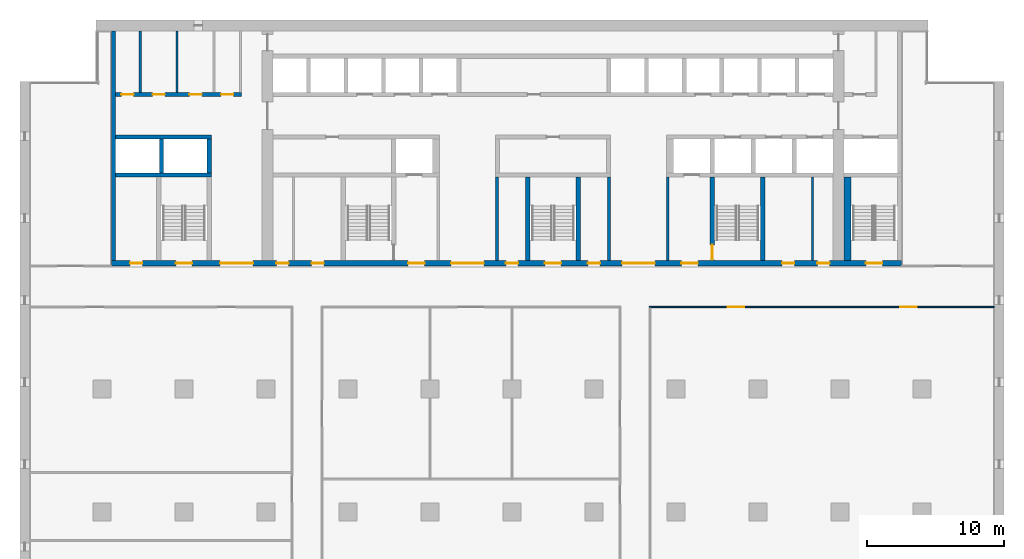
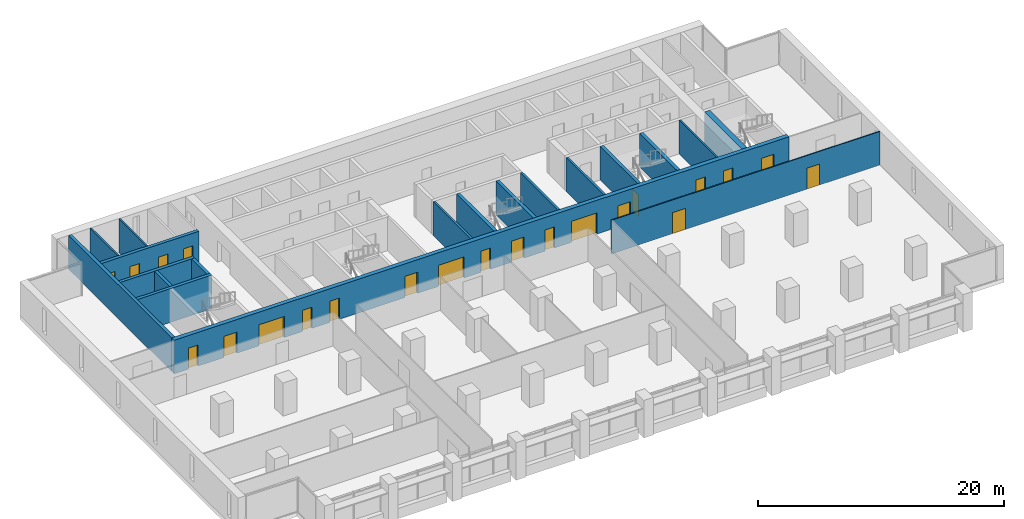
# One storey, part 9 of 15: 22 doors, 19 walls, 22 openings.
"""IFC4 building model written with IfcOpenShell, lengths in metres."""

from ifc_helpers import new_model, si_unit, direction, frame, frame_2d, origin, place, context, subcontext, project, spatial, rectangle, extrude, material, layer, layer_set, type_object, element, fill, save


model = new_model("IFC4")

# Units and contexts
model_context = context("Model", 3, precision=1e-05, world=origin(), true_north=direction((0.0, 1.0)))
body_context = subcontext(model_context, "Body", "Model", "MODEL_VIEW")
ifc_project = project(units=[si_unit("LENGTHUNIT", "METRE"), si_unit("AREAUNIT", "SQUARE_METRE"), si_unit("VOLUMEUNIT", "CUBIC_METRE"), si_unit("PLANEANGLEUNIT", "RADIAN"), si_unit("MASSUNIT", "GRAM", prefix="KILO")], contexts=[model_context])

# Site, building, storey
site_placement = place(None, origin())
site = spatial("IfcSite", under=ifc_project, at=site_placement, CompositionType="ELEMENT")
building_placement = place(site_placement, origin())
building = spatial("IfcBuilding", under=site, at=building_placement, Name="Calvaro Tower", CompositionType="ELEMENT")
storey_placement = place(building_placement, frame((0.0, 0.0, 121.25)))
storey = spatial("IfcBuildingStorey", under=building, at=storey_placement, Name="L30", CompositionType="ELEMENT", Elevation=121.25)

# Walls
ifc_material_1 = material(Name="Blockwork partition", Category="masonry")
ifc_layer_1 = layer(ifc_material_1, 0.14990234375)
ifc_layer_set_1 = layer_set([ifc_layer_1], Name="Blockwork partition")
wall_type_1 = type_object("IfcWallType", Name="Core partition 150 EI 60", PredefinedType="PARTITIONING", material=ifc_layer_set_1)
wall_1_placement = place(storey_placement, frame((58.0, 28.39990234375, 0.0), z_axis=(0.0, 0.0, 1.0), x_axis=(0.0, 1.0, 0.0)))
element("IfcWall", 1, at=wall_1_placement, inside=storey, type_object=wall_type_1, Name="Core partition", PredefinedType="PARTITIONING", context=body_context, shape_type="SweptSolid", body=[
    extrude(rectangle(XDim=6.10009765625, YDim=0.14990234375, at=frame_2d((3.050048828125, 0.0))), origin(), (0.0, 0.0, 1.0), 3.35009765625),
])
for number, where, z_axis, x_axis, name in (
    (2, (8.800048828125, 40.699951171875, 0.0), (0.0, 0.0, 1.0), (0.0, 1.0, 0.0), "Core partition"),
    (3, (11.5, 40.699951171875, 0.0), (0.0, 0.0, 1.0), (0.0, 1.0, 0.0), "Core partition"),
):
    element("IfcWall", number, at=place(storey_placement, frame(where, z_axis=z_axis, x_axis=x_axis)), inside=storey, type_object=wall_type_1, Name=name, PredefinedType="PARTITIONING", context=body_context, shape_type="SweptSolid", body=[
        extrude(rectangle(XDim=4.5, YDim=0.14990234375, at=frame_2d((2.25, 0.0))), origin(), (0.0, 0.0, 1.0), 3.35009765625),
    ])
ifc_material_2 = material(Name="Blockwork partition", Category="masonry")
ifc_layer_2 = layer(ifc_material_2, 0.199951171875)
ifc_layer_set_2 = layer_set([ifc_layer_2], Name="Blockwork partition")
wall_type_2 = type_object("IfcWallType", Name="Core partition 200 REI 120", PredefinedType="PARTITIONING", material=ifc_layer_set_2)
for number, where, z_axis, x_axis, name in (
    (4, (34.89990234375, 28.39990234375, 0.0), (0.0, 0.0, 1.0), (0.0, 1.0, 0.0), "Core partition"),
    (5, (43.10009765625, 28.39990234375, 0.0), (0.0, 0.0, 1.0), (0.0, 1.0, 0.0), "Core partition"),
    (6, (47.39990234375, 28.39990234375, 0.0), (0.0, 0.0, 1.0), (0.0, 1.0, 0.0), "Core partition"),
):
    element("IfcWall", number, at=place(storey_placement, frame(where, z_axis=z_axis, x_axis=x_axis)), inside=storey, type_object=wall_type_2, Name=name, PredefinedType="PARTITIONING", context=body_context, shape_type="SweptSolid", body=[
        extrude(rectangle(XDim=6.10009765625, YDim=0.199951171875, at=frame_2d((3.050048828125, 0.0))), origin(), (0.0, 0.0, 1.0), 3.35009765625),
    ])

# Wall, openings, doors
ifc_material_3 = material(Name="Blockwork partition", Category="masonry")
ifc_layer_3 = layer(ifc_material_3, 0.300048828125)
ifc_layer_set_3 = layer_set([ifc_layer_3], Name="Blockwork partition")
wall_type_3 = type_object("IfcWallType", Name="Core partition 300 REI 120", PredefinedType="PARTITIONING", material=ifc_layer_set_3)
wall_2_placement = place(storey_placement, frame((7.0, 40.550048828125, 0.0), z_axis=(0.0, 0.0, 1.0), x_axis=(1.0, 0.0, 0.0)))
wall_2 = element("IfcWall", 7, at=wall_2_placement, inside=storey, type_object=wall_type_3, Name="Core partition", PredefinedType="PARTITIONING", context=body_context, shape_type="SweptSolid", body=[
    extrude(rectangle(XDim=9.199951171875, YDim=0.300048828125, at=frame_2d((4.60009765625, 0.0))), origin(), (0.0, 0.0, 1.0), 3.35009765625),
])
opening_1_placement = place(wall_2_placement, frame((0.41259765625, 0.0, 0.0)))
opening_1 = element("IfcOpeningElement", 8, at=opening_1_placement, cuts=wall_2, Name="Opening RD9C", PredefinedType="OPENING", context=body_context, shape_type="SweptSolid", body=[
    extrude(rectangle(XDim=0.89990234375, YDim=2.10009765625, at=frame_2d((0.449951171875, 1.050048828125))), frame((0.0, 0.159912109375, 0.0), z_axis=(0.0, -1.0, 0.0), x_axis=(1.0, 0.0, 0.0)), (0.0, 0.0, 1.0), 0.320068359375),
])
opening_2_placement = place(wall_2_placement, frame((2.699951171875, 0.0, 0.0)))
opening_2 = element("IfcOpeningElement", 9, at=opening_2_placement, cuts=wall_2, Name="Opening RD9", PredefinedType="OPENING", context=body_context, shape_type="SweptSolid", body=[
    extrude(rectangle(XDim=0.89990234375, YDim=2.10009765625, at=frame_2d((0.449951171875, 1.050048828125))), frame((0.0, 0.159912109375, 0.0), z_axis=(0.0, -1.0, 0.0), x_axis=(1.0, 0.0, 0.0)), (0.0, 0.0, 1.0), 0.320068359375),
])
opening_3_placement = place(wall_2_placement, frame((5.39990234375, 0.0, 0.0)))
opening_3 = element("IfcOpeningElement", 10, at=opening_3_placement, cuts=wall_2, Name="Opening RD9", PredefinedType="OPENING", context=body_context, shape_type="SweptSolid", body=[
    extrude(rectangle(XDim=0.89990234375, YDim=2.10009765625, at=frame_2d((0.449951171875, 1.050048828125))), frame((0.0, 0.159912109375, 0.0), z_axis=(0.0, -1.0, 0.0), x_axis=(1.0, 0.0, 0.0)), (0.0, 0.0, 1.0), 0.320068359375),
])
opening_4_placement = place(wall_2_placement, frame((7.71240234375, 0.0, 0.0)))
opening_4 = element("IfcOpeningElement", 11, at=opening_4_placement, cuts=wall_2, Name="Opening RD9", PredefinedType="OPENING", context=body_context, shape_type="SweptSolid", body=[
    extrude(rectangle(XDim=0.89990234375, YDim=2.10009765625, at=frame_2d((0.449951171875, 1.050048828125))), frame((0.0, 0.159912109375, 0.0), z_axis=(0.0, -1.0, 0.0), x_axis=(1.0, 0.0, 0.0)), (0.0, 0.0, 1.0), 0.320068359375),
])
ifc_material_4 = material(Name="Steel door set", Category="steel")
door_type_1 = type_object("IfcDoorType", Name="Room door 900", OperationType="SINGLE_SWING_LEFT", PredefinedType="DOOR", material=ifc_material_4)
door_1_placement = place(opening_2_placement, origin())
door_1 = element("IfcDoor", 12, at=door_1_placement, inside=storey, type_object=door_type_1, Name="Room door", OperationType="SINGLE_SWING_LEFT", OverallHeight=2.10009765625, OverallWidth=0.89990234375, PredefinedType="DOOR", context=body_context, shape_type="SweptSolid", body=[
    extrude(rectangle(XDim=0.89990234375, YDim=2.10009765625, at=frame_2d((0.449951171875, 1.050048828125))), frame((0.0, 0.02490234375, 0.0), z_axis=(0.0, -1.0, 0.0), x_axis=(1.0, 0.0, 0.0)), (0.0, 0.0, 1.0), 0.050048828125),
])
fill(opening_2, door_1)
door_2_placement = place(opening_3_placement, origin())
door_2 = element("IfcDoor", 13, at=door_2_placement, inside=storey, type_object=door_type_1, Name="Room door", OperationType="SINGLE_SWING_LEFT", OverallHeight=2.10009765625, OverallWidth=0.89990234375, PredefinedType="DOOR", context=body_context, shape_type="SweptSolid", body=[
    extrude(rectangle(XDim=0.89990234375, YDim=2.10009765625, at=frame_2d((0.449951171875, 1.050048828125))), frame((0.0, 0.02490234375, 0.0), z_axis=(0.0, -1.0, 0.0), x_axis=(1.0, 0.0, 0.0)), (0.0, 0.0, 1.0), 0.050048828125),
])
fill(opening_3, door_2)
door_3_placement = place(opening_4_placement, origin())
door_3 = element("IfcDoor", 14, at=door_3_placement, inside=storey, type_object=door_type_1, Name="Room door", OperationType="SINGLE_SWING_LEFT", OverallHeight=2.10009765625, OverallWidth=0.89990234375, PredefinedType="DOOR", context=body_context, shape_type="SweptSolid", body=[
    extrude(rectangle(XDim=0.89990234375, YDim=2.10009765625, at=frame_2d((0.449951171875, 1.050048828125))), frame((0.0, 0.02490234375, 0.0), z_axis=(0.0, -1.0, 0.0), x_axis=(1.0, 0.0, 0.0)), (0.0, 0.0, 1.0), 0.050048828125),
])
fill(opening_4, door_3)
ifc_material_5 = material(Name="Steel door set", Category="steel")
door_type_2 = type_object("IfcDoorType", Name="Room door 900 FD30", OperationType="SINGLE_SWING_LEFT", PredefinedType="DOOR", material=ifc_material_5)
door_4_placement = place(opening_1_placement, origin())
door_4 = element("IfcDoor", 15, at=door_4_placement, inside=storey, type_object=door_type_2, Name="Room door", OperationType="SINGLE_SWING_LEFT", OverallHeight=2.10009765625, OverallWidth=0.89990234375, PredefinedType="DOOR", context=body_context, shape_type="SweptSolid", body=[
    extrude(rectangle(XDim=0.89990234375, YDim=2.10009765625, at=frame_2d((0.449951171875, 1.050048828125))), frame((0.0, 0.02490234375, 0.0), z_axis=(0.0, -1.0, 0.0), x_axis=(1.0, 0.0, 0.0)), (0.0, 0.0, 1.0), 0.050048828125),
])
fill(opening_1, door_4)

# Walls
ifc_material_6 = material(Name="Concrete C60/75", Category="concrete")
ifc_layer_4 = layer(ifc_material_6, 0.300048828125)
ifc_layer_set_4 = layer_set([ifc_layer_4], Name="Concrete C60/75")
wall_type_4 = type_object("IfcWallType", Name="Core wall C60/75 300", PredefinedType="SHEAR", material=ifc_layer_set_4)
wall_3_placement = place(storey_placement, frame((6.85009765625, 28.39990234375, 0.0), z_axis=(0.0, 0.0, 1.0), x_axis=(0.0, 1.0, 0.0)))
element("IfcWall", 16, at=wall_3_placement, inside=storey, type_object=wall_type_4, Name="Core wall, boundary", PredefinedType="SHEAR", context=body_context, shape_type="SweptSolid", body=[
    extrude(rectangle(XDim=16.800048828125, YDim=0.300048828125, at=frame_2d((8.39990234375, 0.0))), origin(), (0.0, 0.0, 1.0), 3.35009765625),
])
for number, where, z_axis, x_axis, name in (
    (17, (37.14990234375, 28.39990234375, 0.0), (0.0, 0.0, 1.0), (0.0, 1.0, 0.0), "Core wall, stair enclosure"),
    (18, (40.85009765625, 28.39990234375, 0.0), (0.0, 0.0, 1.0), (0.0, 1.0, 0.0), "Core wall, stair enclosure"),
):
    element("IfcWall", number, at=place(storey_placement, frame(where, z_axis=z_axis, x_axis=x_axis)), inside=storey, type_object=wall_type_4, Name=name, PredefinedType="SHEAR", context=body_context, shape_type="SweptSolid", body=[
        extrude(rectangle(XDim=6.10009765625, YDim=0.300048828125, at=frame_2d((3.050048828125, 0.0))), origin(), (0.0, 0.0, 1.0), 3.35009765625),
    ])

# Wall, opening, door
wall_4_placement = place(storey_placement, frame((50.64990234375, 34.5, 0.0), z_axis=(0.0, 0.0, 1.0), x_axis=(0.0, -1.0, 0.0)))
wall_4 = element("IfcWall", 19, at=wall_4_placement, inside=storey, type_object=wall_type_4, Name="Core wall, stair enclosure", PredefinedType="SHEAR", context=body_context, shape_type="SweptSolid", body=[
    extrude(rectangle(XDim=6.10009765625, YDim=0.300048828125, at=frame_2d((3.050048828125, 0.0))), origin(), (0.0, 0.0, 1.0), 3.35009765625),
])
opening_5_placement = place(wall_4_placement, frame((4.949951171875, 0.0, 0.0)))
opening_5 = element("IfcOpeningElement", 20, at=opening_5_placement, cuts=wall_4, Name="Opening FD11D", PredefinedType="OPENING", context=body_context, shape_type="SweptSolid", body=[
    extrude(rectangle(XDim=1.10009765625, YDim=2.10009765625, at=frame_2d((0.550048828125, 1.050048828125))), frame((0.0, 0.159912109375, 0.0), z_axis=(0.0, -1.0, 0.0), x_axis=(1.0, 0.0, 0.0)), (0.0, 0.0, 1.0), 0.320068359375),
])
ifc_material_7 = material(Name="Steel door set", Category="steel")
door_type_3 = type_object("IfcDoorType", Name="Fire door 1100 FD30S", OperationType="SINGLE_SWING_LEFT", PredefinedType="DOOR", material=ifc_material_7)
door_5_placement = place(opening_5_placement, origin())
door_5 = element("IfcDoor", 21, at=door_5_placement, inside=storey, type_object=door_type_3, Name="Fire door", OperationType="SINGLE_SWING_RIGHT", OverallHeight=2.10009765625, OverallWidth=1.10009765625, PredefinedType="DOOR", context=body_context, shape_type="SweptSolid", body=[
    extrude(rectangle(XDim=1.10009765625, YDim=2.10009765625, at=frame_2d((0.550048828125, 1.050048828125))), frame((0.0, 0.02490234375, 0.0), z_axis=(0.0, -1.0, 0.0), x_axis=(1.0, 0.0, 0.0)), (0.0, 0.0, 1.0), 0.050048828125),
])
fill(opening_5, door_5)

# Walls
wall_5_placement = place(storey_placement, frame((54.35009765625, 28.39990234375, 0.0), z_axis=(0.0, 0.0, 1.0), x_axis=(0.0, 1.0, 0.0)))
element("IfcWall", 22, at=wall_5_placement, inside=storey, type_object=wall_type_4, Name="Core wall, stair enclosure", PredefinedType="SHEAR", context=body_context, shape_type="SweptSolid", body=[
    extrude(rectangle(XDim=6.10009765625, YDim=0.300048828125, at=frame_2d((3.050048828125, 0.0))), origin(), (0.0, 0.0, 1.0), 3.35009765625),
])
for number, where, z_axis, x_axis, name in (
    (23, (7.0, 34.64990234375, 0.0), (0.0, 0.0, 1.0), (1.0, 0.0, 0.0), "Core wall, lift shaft"),
    (24, (7.0, 37.449951171875, 0.0), (0.0, 0.0, 1.0), (1.0, 0.0, 0.0), "Core wall, lift shaft"),
):
    element("IfcWall", number, at=place(storey_placement, frame(where, z_axis=z_axis, x_axis=x_axis)), inside=storey, type_object=wall_type_4, Name=name, PredefinedType="SHEAR", context=body_context, shape_type="SweptSolid", body=[
        extrude(rectangle(XDim=7.0, YDim=0.300048828125, at=frame_2d((3.5, 0.0))), origin(), (0.0, 0.0, 1.0), 3.35009765625),
    ])
for number, where, z_axis, x_axis, name in (
    (25, (13.85009765625, 34.800048828125, 0.0), (0.0, 0.0, 1.0), (0.0, 1.0, 0.0), "Core wall, lift shaft"),
    (26, (10.35009765625, 34.800048828125, 0.0), (0.0, 0.0, 1.0), (0.0, 1.0, 0.0), "Core wall, lift shaft"),
):
    element("IfcWall", number, at=place(storey_placement, frame(where, z_axis=z_axis, x_axis=x_axis)), inside=storey, type_object=wall_type_4, Name=name, PredefinedType="SHEAR", context=body_context, shape_type="SweptSolid", body=[
        extrude(rectangle(XDim=2.5, YDim=0.300048828125, at=frame_2d((1.25, 0.0))), origin(), (0.0, 0.0, 1.0), 3.35009765625),
    ])

# Wall, openings, doors
ifc_material_8 = material(Name="Concrete C60/75", Category="concrete")
ifc_layer_5 = layer(ifc_material_8, 0.39990234375)
ifc_layer_set_5 = layer_set([ifc_layer_5], Name="Concrete C60/75")
wall_type_5 = type_object("IfcWallType", Name="Core wall C60/75 400", PredefinedType="SHEAR", material=ifc_layer_set_5)
wall_6_placement = place(storey_placement, frame((6.699951171875, 28.199951171875, 0.0), z_axis=(0.0, 0.0, 1.0), x_axis=(1.0, 0.0, 0.0)))
wall_6 = element("IfcWall", 27, at=wall_6_placement, inside=storey, type_object=wall_type_5, Name="Core wall, front", PredefinedType="SHEAR", context=body_context, shape_type="SweptSolid", body=[
    extrude(rectangle(XDim=57.800048828125, YDim=0.39990234375, at=frame_2d((28.89990234375, 0.0))), origin(), (0.0, 0.0, 1.0), 3.35009765625),
])
opening_6_placement = place(wall_6_placement, frame((12.0625, 0.0, 0.0)))
opening_6 = element("IfcOpeningElement", 28, at=opening_6_placement, cuts=wall_6, Name="Opening RD9C", PredefinedType="OPENING", context=body_context, shape_type="SweptSolid", body=[
    extrude(rectangle(XDim=0.89990234375, YDim=2.10009765625, at=frame_2d((0.449951171875, 1.050048828125))), frame((0.0, 0.2099609375, 0.0), z_axis=(0.0, -1.0, 0.0), x_axis=(1.0, 0.0, 0.0)), (0.0, 0.0, 1.0), 0.419921875),
])
opening_7_placement = place(wall_6_placement, frame((14.637451171875, 0.0, 0.0)))
opening_7 = element("IfcOpeningElement", 29, at=opening_7_placement, cuts=wall_6, Name="Opening RD9E", PredefinedType="OPENING", context=body_context, shape_type="SweptSolid", body=[
    extrude(rectangle(XDim=0.89990234375, YDim=2.10009765625, at=frame_2d((0.449951171875, 1.050048828125))), frame((0.0, 0.2099609375, 0.0), z_axis=(0.0, -1.0, 0.0), x_axis=(1.0, 0.0, 0.0)), (0.0, 0.0, 1.0), 0.419921875),
])
opening_8_placement = place(wall_6_placement, frame((49.0625, 0.0, 0.0)))
opening_8 = element("IfcOpeningElement", 30, at=opening_8_placement, cuts=wall_6, Name="Opening RD9E", PredefinedType="OPENING", context=body_context, shape_type="SweptSolid", body=[
    extrude(rectangle(XDim=0.89990234375, YDim=2.10009765625, at=frame_2d((0.449951171875, 1.050048828125))), frame((0.0, 0.2099609375, 0.0), z_axis=(0.0, -1.0, 0.0), x_axis=(1.0, 0.0, 0.0)), (0.0, 0.0, 1.0), 0.419921875),
])
opening_9_placement = place(wall_6_placement, frame((51.637451171875, 0.0, 0.0)))
opening_9 = element("IfcOpeningElement", 31, at=opening_9_placement, cuts=wall_6, Name="Opening RD9C", PredefinedType="OPENING", context=body_context, shape_type="SweptSolid", body=[
    extrude(rectangle(XDim=0.89990234375, YDim=2.10009765625, at=frame_2d((0.449951171875, 1.050048828125))), frame((0.0, 0.2099609375, 0.0), z_axis=(0.0, -1.0, 0.0), x_axis=(1.0, 0.0, 0.0)), (0.0, 0.0, 1.0), 0.419921875),
])
opening_10_placement = place(wall_6_placement, frame((1.35009765625, 0.0, 0.0)))
opening_10 = element("IfcOpeningElement", 32, at=opening_10_placement, cuts=wall_6, Name="Opening RD9E", PredefinedType="OPENING", context=body_context, shape_type="SweptSolid", body=[
    extrude(rectangle(XDim=0.89990234375, YDim=2.10009765625, at=frame_2d((0.449951171875, 1.050048828125))), frame((0.0, 0.2099609375, 0.0), z_axis=(0.0, -1.0, 0.0), x_axis=(1.0, 0.0, 0.0)), (0.0, 0.0, 1.0), 0.419921875),
])
opening_11_placement = place(wall_6_placement, frame((4.699951171875, 0.0, 0.0)))
opening_11 = element("IfcOpeningElement", 33, at=opening_11_placement, cuts=wall_6, Name="Opening SD12D", PredefinedType="OPENING", context=body_context, shape_type="SweptSolid", body=[
    extrude(rectangle(XDim=1.199951171875, YDim=2.10009765625, at=frame_2d((0.60009765625, 1.050048828125))), frame((0.0, 0.2099609375, 0.0), z_axis=(0.0, -1.0, 0.0), x_axis=(1.0, 0.0, 0.0)), (0.0, 0.0, 1.0), 0.419921875),
])
opening_12_placement = place(wall_6_placement, frame((31.699951171875, 0.0, 0.0)))
opening_12 = element("IfcOpeningElement", 34, at=opening_12_placement, cuts=wall_6, Name="Opening SD12D", PredefinedType="OPENING", context=body_context, shape_type="SweptSolid", body=[
    extrude(rectangle(XDim=1.199951171875, YDim=2.10009765625, at=frame_2d((0.60009765625, 1.050048828125))), frame((0.0, 0.2099609375, 0.0), z_axis=(0.0, -1.0, 0.0), x_axis=(1.0, 0.0, 0.0)), (0.0, 0.0, 1.0), 0.419921875),
])
opening_13_placement = place(wall_6_placement, frame((55.199951171875, 0.0, 0.0)))
opening_13 = element("IfcOpeningElement", 35, at=opening_13_placement, cuts=wall_6, Name="Opening SD12D", PredefinedType="OPENING", context=body_context, shape_type="SweptSolid", body=[
    extrude(rectangle(XDim=1.199951171875, YDim=2.10009765625, at=frame_2d((0.60009765625, 1.050048828125))), frame((0.0, 0.2099609375, 0.0), z_axis=(0.0, -1.0, 0.0), x_axis=(1.0, 0.0, 0.0)), (0.0, 0.0, 1.0), 0.419921875),
])
opening_14_placement = place(wall_6_placement, frame((21.699951171875, 0.0, 0.0)))
opening_14 = element("IfcOpeningElement", 36, at=opening_14_placement, cuts=wall_6, Name="Opening FD12F", PredefinedType="OPENING", context=body_context, shape_type="SweptSolid", body=[
    extrude(rectangle(XDim=1.199951171875, YDim=2.10009765625, at=frame_2d((0.60009765625, 1.050048828125))), frame((0.0, 0.2099609375, 0.0), z_axis=(0.0, -1.0, 0.0), x_axis=(1.0, 0.0, 0.0)), (0.0, 0.0, 1.0), 0.419921875),
])
opening_15_placement = place(wall_6_placement, frame((41.699951171875, 0.0, 0.0)))
opening_15 = element("IfcOpeningElement", 37, at=opening_15_placement, cuts=wall_6, Name="Opening FD12F", PredefinedType="OPENING", context=body_context, shape_type="SweptSolid", body=[
    extrude(rectangle(XDim=1.199951171875, YDim=2.10009765625, at=frame_2d((0.60009765625, 1.050048828125))), frame((0.0, 0.2099609375, 0.0), z_axis=(0.0, -1.0, 0.0), x_axis=(1.0, 0.0, 0.0)), (0.0, 0.0, 1.0), 0.419921875),
])
opening_16_placement = place(wall_6_placement, frame((24.85009765625, 0.0, 0.0)))
opening_16 = element("IfcOpeningElement", 38, at=opening_16_placement, cuts=wall_6, Name="Opening DD24D", PredefinedType="OPENING", context=body_context, shape_type="SweptSolid", body=[
    extrude(rectangle(XDim=2.39990234375, YDim=2.10009765625, at=frame_2d((1.199951171875, 1.050048828125))), frame((0.0, 0.2099609375, 0.0), z_axis=(0.0, -1.0, 0.0), x_axis=(1.0, 0.0, 0.0)), (0.0, 0.0, 1.0), 0.419921875),
])
opening_17_placement = place(wall_6_placement, frame((37.35009765625, 0.0, 0.0)))
opening_17 = element("IfcOpeningElement", 39, at=opening_17_placement, cuts=wall_6, Name="Opening DD24D", PredefinedType="OPENING", context=body_context, shape_type="SweptSolid", body=[
    extrude(rectangle(XDim=2.39990234375, YDim=2.10009765625, at=frame_2d((1.199951171875, 1.050048828125))), frame((0.0, 0.2099609375, 0.0), z_axis=(0.0, -1.0, 0.0), x_axis=(1.0, 0.0, 0.0)), (0.0, 0.0, 1.0), 0.419921875),
])
opening_18_placement = place(wall_6_placement, frame((7.949951171875, 0.0, 0.0)))
opening_18 = element("IfcOpeningElement", 40, at=opening_18_placement, cuts=wall_6, Name="Opening DD24D", PredefinedType="OPENING", context=body_context, shape_type="SweptSolid", body=[
    extrude(rectangle(XDim=2.39990234375, YDim=2.10009765625, at=frame_2d((1.199951171875, 1.050048828125))), frame((0.0, 0.2099609375, 0.0), z_axis=(0.0, -1.0, 0.0), x_axis=(1.0, 0.0, 0.0)), (0.0, 0.0, 1.0), 0.419921875),
])
opening_19_placement = place(wall_6_placement, frame((28.85009765625, 0.0, 0.0)))
opening_19 = element("IfcOpeningElement", 41, at=opening_19_placement, cuts=wall_6, Name="Opening RD9E", PredefinedType="OPENING", context=body_context, shape_type="SweptSolid", body=[
    extrude(rectangle(XDim=0.89990234375, YDim=2.10009765625, at=frame_2d((0.449951171875, 1.050048828125))), frame((0.0, 0.2099609375, 0.0), z_axis=(0.0, -1.0, 0.0), x_axis=(1.0, 0.0, 0.0)), (0.0, 0.0, 1.0), 0.419921875),
])
opening_20_placement = place(wall_6_placement, frame((34.85009765625, 0.0, 0.0)))
opening_20 = element("IfcOpeningElement", 42, at=opening_20_placement, cuts=wall_6, Name="Opening RD9E", PredefinedType="OPENING", context=body_context, shape_type="SweptSolid", body=[
    extrude(rectangle(XDim=0.89990234375, YDim=2.10009765625, at=frame_2d((0.449951171875, 1.050048828125))), frame((0.0, 0.2099609375, 0.0), z_axis=(0.0, -1.0, 0.0), x_axis=(1.0, 0.0, 0.0)), (0.0, 0.0, 1.0), 0.419921875),
])
ifc_material_9 = material(Name="Steel door set", Category="steel")
door_type_4 = type_object("IfcDoorType", Name="Fire door 1200 FD60S", OperationType="SINGLE_SWING_LEFT", PredefinedType="DOOR", material=ifc_material_9)
door_6_placement = place(opening_14_placement, origin())
door_6 = element("IfcDoor", 43, at=door_6_placement, inside=storey, type_object=door_type_4, Name="Fire door", OperationType="SINGLE_SWING_LEFT", OverallHeight=2.10009765625, OverallWidth=1.199951171875, PredefinedType="DOOR", context=body_context, shape_type="SweptSolid", body=[
    extrude(rectangle(XDim=1.199951171875, YDim=2.10009765625, at=frame_2d((0.60009765625, 1.050048828125))), frame((0.0, 0.02490234375, 0.0), z_axis=(0.0, -1.0, 0.0), x_axis=(1.0, 0.0, 0.0)), (0.0, 0.0, 1.0), 0.050048828125),
])
fill(opening_14, door_6)
door_7_placement = place(opening_15_placement, origin())
door_7 = element("IfcDoor", 44, at=door_7_placement, inside=storey, type_object=door_type_4, Name="Fire door", OperationType="SINGLE_SWING_LEFT", OverallHeight=2.10009765625, OverallWidth=1.199951171875, PredefinedType="DOOR", context=body_context, shape_type="SweptSolid", body=[
    extrude(rectangle(XDim=1.199951171875, YDim=2.10009765625, at=frame_2d((0.60009765625, 1.050048828125))), frame((0.0, 0.02490234375, 0.0), z_axis=(0.0, -1.0, 0.0), x_axis=(1.0, 0.0, 0.0)), (0.0, 0.0, 1.0), 0.050048828125),
])
fill(opening_15, door_7)
ifc_material_10 = material(Name="Steel door set", Category="steel")
door_type_5 = type_object("IfcDoorType", Name="Lobby double door 2400 FD30S", OperationType="DOUBLE_DOOR_SINGLE_SWING", PredefinedType="DOOR", material=ifc_material_10)
door_8_placement = place(opening_16_placement, origin())
door_8 = element("IfcDoor", 45, at=door_8_placement, inside=storey, type_object=door_type_5, Name="Lobby double door", OperationType="DOUBLE_DOOR_SINGLE_SWING", OverallHeight=2.10009765625, OverallWidth=2.39990234375, PredefinedType="DOOR", context=body_context, shape_type="SweptSolid", body=[
    extrude(rectangle(XDim=2.39990234375, YDim=2.10009765625, at=frame_2d((1.199951171875, 1.050048828125))), frame((0.0, 0.02490234375, 0.0), z_axis=(0.0, -1.0, 0.0), x_axis=(1.0, 0.0, 0.0)), (0.0, 0.0, 1.0), 0.050048828125),
])
fill(opening_16, door_8)
door_9_placement = place(opening_17_placement, origin())
door_9 = element("IfcDoor", 46, at=door_9_placement, inside=storey, type_object=door_type_5, Name="Lobby double door", OperationType="DOUBLE_DOOR_SINGLE_SWING", OverallHeight=2.10009765625, OverallWidth=2.39990234375, PredefinedType="DOOR", context=body_context, shape_type="SweptSolid", body=[
    extrude(rectangle(XDim=2.39990234375, YDim=2.10009765625, at=frame_2d((1.199951171875, 1.050048828125))), frame((0.0, 0.02490234375, 0.0), z_axis=(0.0, -1.0, 0.0), x_axis=(1.0, 0.0, 0.0)), (0.0, 0.0, 1.0), 0.050048828125),
])
fill(opening_17, door_9)
door_10_placement = place(opening_18_placement, origin())
door_10 = element("IfcDoor", 47, at=door_10_placement, inside=storey, type_object=door_type_5, Name="Lobby double door", OperationType="DOUBLE_DOOR_SINGLE_SWING", OverallHeight=2.10009765625, OverallWidth=2.39990234375, PredefinedType="DOOR", context=body_context, shape_type="SweptSolid", body=[
    extrude(rectangle(XDim=2.39990234375, YDim=2.10009765625, at=frame_2d((1.199951171875, 1.050048828125))), frame((0.0, 0.02490234375, 0.0), z_axis=(0.0, -1.0, 0.0), x_axis=(1.0, 0.0, 0.0)), (0.0, 0.0, 1.0), 0.050048828125),
])
fill(opening_18, door_10)
door_11_placement = place(opening_6_placement, origin())
door_11 = element("IfcDoor", 48, at=door_11_placement, inside=storey, type_object=door_type_2, Name="Room door", OperationType="SINGLE_SWING_LEFT", OverallHeight=2.10009765625, OverallWidth=0.89990234375, PredefinedType="DOOR", context=body_context, shape_type="SweptSolid", body=[
    extrude(rectangle(XDim=0.89990234375, YDim=2.10009765625, at=frame_2d((0.449951171875, 1.050048828125))), frame((0.0, 0.02490234375, 0.0), z_axis=(0.0, -1.0, 0.0), x_axis=(1.0, 0.0, 0.0)), (0.0, 0.0, 1.0), 0.050048828125),
])
fill(opening_6, door_11)
door_12_placement = place(opening_9_placement, origin())
door_12 = element("IfcDoor", 49, at=door_12_placement, inside=storey, type_object=door_type_2, Name="Room door", OperationType="SINGLE_SWING_LEFT", OverallHeight=2.10009765625, OverallWidth=0.89990234375, PredefinedType="DOOR", context=body_context, shape_type="SweptSolid", body=[
    extrude(rectangle(XDim=0.89990234375, YDim=2.10009765625, at=frame_2d((0.449951171875, 1.050048828125))), frame((0.0, 0.02490234375, 0.0), z_axis=(0.0, -1.0, 0.0), x_axis=(1.0, 0.0, 0.0)), (0.0, 0.0, 1.0), 0.050048828125),
])
fill(opening_9, door_12)
ifc_material_11 = material(Name="Steel door set", Category="steel")
door_type_6 = type_object("IfcDoorType", Name="Room door 900 FD60", OperationType="SINGLE_SWING_LEFT", PredefinedType="DOOR", material=ifc_material_11)
door_13_placement = place(opening_7_placement, origin())
door_13 = element("IfcDoor", 50, at=door_13_placement, inside=storey, type_object=door_type_6, Name="Room door", OperationType="SINGLE_SWING_RIGHT", OverallHeight=2.10009765625, OverallWidth=0.89990234375, PredefinedType="DOOR", context=body_context, shape_type="SweptSolid", body=[
    extrude(rectangle(XDim=0.89990234375, YDim=2.10009765625, at=frame_2d((0.449951171875, 1.050048828125))), frame((0.0, 0.02490234375, 0.0), z_axis=(0.0, -1.0, 0.0), x_axis=(1.0, 0.0, 0.0)), (0.0, 0.0, 1.0), 0.050048828125),
])
fill(opening_7, door_13)
door_14_placement = place(opening_8_placement, origin())
door_14 = element("IfcDoor", 51, at=door_14_placement, inside=storey, type_object=door_type_6, Name="Room door", OperationType="SINGLE_SWING_LEFT", OverallHeight=2.10009765625, OverallWidth=0.89990234375, PredefinedType="DOOR", context=body_context, shape_type="SweptSolid", body=[
    extrude(rectangle(XDim=0.89990234375, YDim=2.10009765625, at=frame_2d((0.449951171875, 1.050048828125))), frame((0.0, 0.02490234375, 0.0), z_axis=(0.0, -1.0, 0.0), x_axis=(1.0, 0.0, 0.0)), (0.0, 0.0, 1.0), 0.050048828125),
])
fill(opening_8, door_14)
door_15_placement = place(opening_10_placement, origin())
door_15 = element("IfcDoor", 52, at=door_15_placement, inside=storey, type_object=door_type_6, Name="Room door", OperationType="SINGLE_SWING_LEFT", OverallHeight=2.10009765625, OverallWidth=0.89990234375, PredefinedType="DOOR", context=body_context, shape_type="SweptSolid", body=[
    extrude(rectangle(XDim=0.89990234375, YDim=2.10009765625, at=frame_2d((0.449951171875, 1.050048828125))), frame((0.0, 0.02490234375, 0.0), z_axis=(0.0, -1.0, 0.0), x_axis=(1.0, 0.0, 0.0)), (0.0, 0.0, 1.0), 0.050048828125),
])
fill(opening_10, door_15)
door_16_placement = place(opening_19_placement, origin())
door_16 = element("IfcDoor", 53, at=door_16_placement, inside=storey, type_object=door_type_6, Name="Room door", OperationType="SINGLE_SWING_LEFT", OverallHeight=2.10009765625, OverallWidth=0.89990234375, PredefinedType="DOOR", context=body_context, shape_type="SweptSolid", body=[
    extrude(rectangle(XDim=0.89990234375, YDim=2.10009765625, at=frame_2d((0.449951171875, 1.050048828125))), frame((0.0, 0.02490234375, 0.0), z_axis=(0.0, -1.0, 0.0), x_axis=(1.0, 0.0, 0.0)), (0.0, 0.0, 1.0), 0.050048828125),
])
fill(opening_19, door_16)
door_17_placement = place(opening_20_placement, origin())
door_17 = element("IfcDoor", 54, at=door_17_placement, inside=storey, type_object=door_type_6, Name="Room door", OperationType="SINGLE_SWING_LEFT", OverallHeight=2.10009765625, OverallWidth=0.89990234375, PredefinedType="DOOR", context=body_context, shape_type="SweptSolid", body=[
    extrude(rectangle(XDim=0.89990234375, YDim=2.10009765625, at=frame_2d((0.449951171875, 1.050048828125))), frame((0.0, 0.02490234375, 0.0), z_axis=(0.0, -1.0, 0.0), x_axis=(1.0, 0.0, 0.0)), (0.0, 0.0, 1.0), 0.050048828125),
])
fill(opening_20, door_17)
ifc_material_12 = material(Name="Steel door set", Category="steel")
door_type_7 = type_object("IfcDoorType", Name="Stair door 1200 FD30S", OperationType="SINGLE_SWING_LEFT", PredefinedType="DOOR", material=ifc_material_12)
door_18_placement = place(opening_11_placement, origin())
door_18 = element("IfcDoor", 55, at=door_18_placement, inside=storey, type_object=door_type_7, Name="Stair door", OperationType="SINGLE_SWING_LEFT", OverallHeight=2.10009765625, OverallWidth=1.199951171875, PredefinedType="DOOR", context=body_context, shape_type="SweptSolid", body=[
    extrude(rectangle(XDim=1.199951171875, YDim=2.10009765625, at=frame_2d((0.60009765625, 1.050048828125))), frame((0.0, 0.02490234375, 0.0), z_axis=(0.0, -1.0, 0.0), x_axis=(1.0, 0.0, 0.0)), (0.0, 0.0, 1.0), 0.050048828125),
])
fill(opening_11, door_18)
door_19_placement = place(opening_12_placement, origin())
door_19 = element("IfcDoor", 56, at=door_19_placement, inside=storey, type_object=door_type_7, Name="Stair door", OperationType="SINGLE_SWING_LEFT", OverallHeight=2.10009765625, OverallWidth=1.199951171875, PredefinedType="DOOR", context=body_context, shape_type="SweptSolid", body=[
    extrude(rectangle(XDim=1.199951171875, YDim=2.10009765625, at=frame_2d((0.60009765625, 1.050048828125))), frame((0.0, 0.02490234375, 0.0), z_axis=(0.0, -1.0, 0.0), x_axis=(1.0, 0.0, 0.0)), (0.0, 0.0, 1.0), 0.050048828125),
])
fill(opening_12, door_19)
door_20_placement = place(opening_13_placement, origin())
door_20 = element("IfcDoor", 57, at=door_20_placement, inside=storey, type_object=door_type_7, Name="Stair door", OperationType="SINGLE_SWING_LEFT", OverallHeight=2.10009765625, OverallWidth=1.199951171875, PredefinedType="DOOR", context=body_context, shape_type="SweptSolid", body=[
    extrude(rectangle(XDim=1.199951171875, YDim=2.10009765625, at=frame_2d((0.60009765625, 1.050048828125))), frame((0.0, 0.02490234375, 0.0), z_axis=(0.0, -1.0, 0.0), x_axis=(1.0, 0.0, 0.0)), (0.0, 0.0, 1.0), 0.050048828125),
])
fill(opening_13, door_20)

# Wall
ifc_material_13 = material(Name="Concrete C60/75", Category="concrete")
ifc_layer_6 = layer(ifc_material_13, 0.5)
ifc_layer_set_6 = layer_set([ifc_layer_6], Name="Concrete C60/75")
wall_type_6 = type_object("IfcWallType", Name="Core wall C60/75 500", PredefinedType="SHEAR", material=ifc_layer_set_6)
wall_7_placement = place(storey_placement, frame((60.550048828125, 28.39990234375, 0.0), z_axis=(0.0, 0.0, 1.0), x_axis=(0.0, 1.0, 0.0)))
element("IfcWall", 58, at=wall_7_placement, inside=storey, type_object=wall_type_6, Name="Core wall, stair enclosure", PredefinedType="SHEAR", context=body_context, shape_type="SweptSolid", body=[
    extrude(rectangle(XDim=6.10009765625, YDim=0.5, at=frame_2d((3.050048828125, 0.0))), origin(), (0.0, 0.0, 1.0), 3.35009765625),
])

# Wall, openings, doors
ifc_material_14 = material(Name="Plasterboard on steel studs", Category="steel")
ifc_layer_7 = layer(ifc_material_14, 0.10009765625)
ifc_layer_set_7 = layer_set([ifc_layer_7], Name="Plasterboard on steel studs")
wall_type_7 = type_object("IfcWallType", Name="Partition 100", PredefinedType="PARTITIONING", material=ifc_layer_set_7)
wall_8_placement = place(storey_placement, frame((46.050048828125, 25.0, 0.0), z_axis=(0.0, 0.0, 1.0), x_axis=(1.0, 0.0, 0.0)))
wall_8 = element("IfcWall", 59, at=wall_8_placement, inside=storey, type_object=wall_type_7, Name="Partition T19.W006", PredefinedType="PARTITIONING", context=body_context, shape_type="SweptSolid", body=[
    extrude(rectangle(XDim=25.25, YDim=0.10009765625, at=frame_2d((12.625, 0.0))), origin(), (0.0, 0.0, 1.0), 3.35009765625),
])
opening_21_placement = place(wall_8_placement, frame((5.75, 0.0, 0.0)))
opening_21 = element("IfcOpeningElement", 60, at=opening_21_placement, cuts=wall_8, Name="Opening T19.005", PredefinedType="OPENING", context=body_context, shape_type="SweptSolid", body=[
    extrude(rectangle(XDim=1.199951171875, YDim=2.10009765625, at=frame_2d((0.60009765625, 1.050048828125))), frame((0.0, 0.06005859375, 0.0), z_axis=(0.0, -1.0, 0.0), x_axis=(1.0, 0.0, 0.0)), (0.0, 0.0, 1.0), 0.1201171875),
])
opening_22_placement = place(wall_8_placement, frame((18.35009765625, 0.0, 0.0)))
opening_22 = element("IfcOpeningElement", 61, at=opening_22_placement, cuts=wall_8, Name="Opening T19.006", PredefinedType="OPENING", context=body_context, shape_type="SweptSolid", body=[
    extrude(rectangle(XDim=1.199951171875, YDim=2.10009765625, at=frame_2d((0.60009765625, 1.050048828125))), frame((0.0, 0.06005859375, 0.0), z_axis=(0.0, -1.0, 0.0), x_axis=(1.0, 0.0, 0.0)), (0.0, 0.0, 1.0), 0.1201171875),
])
ifc_material_15 = material(Name="Timber", Category="wood")
door_type_8 = type_object("IfcDoorType", Name="Internal single door 1200 x 2100", OperationType="SINGLE_SWING_LEFT", PredefinedType="DOOR", material=ifc_material_15)
door_21_placement = place(opening_21_placement, origin())
door_21 = element("IfcDoor", 62, at=door_21_placement, inside=storey, type_object=door_type_8, Name="Door T19.005", OperationType="SINGLE_SWING_LEFT", OverallHeight=2.10009765625, OverallWidth=1.199951171875, PredefinedType="DOOR", context=body_context, shape_type="SweptSolid", body=[
    extrude(rectangle(XDim=1.199951171875, YDim=2.10009765625, at=frame_2d((0.60009765625, 1.050048828125))), frame((0.0, 0.02490234375, 0.0), z_axis=(0.0, -1.0, 0.0), x_axis=(1.0, 0.0, 0.0)), (0.0, 0.0, 1.0), 0.050048828125),
])
fill(opening_21, door_21)
door_22_placement = place(opening_22_placement, origin())
door_22 = element("IfcDoor", 63, at=door_22_placement, inside=storey, type_object=door_type_8, Name="Door T19.006", OperationType="SINGLE_SWING_RIGHT", OverallHeight=2.10009765625, OverallWidth=1.199951171875, PredefinedType="DOOR", context=body_context, shape_type="SweptSolid", body=[
    extrude(rectangle(XDim=1.199951171875, YDim=2.10009765625, at=frame_2d((0.60009765625, 1.050048828125))), frame((0.0, 0.02490234375, 0.0), z_axis=(0.0, -1.0, 0.0), x_axis=(1.0, 0.0, 0.0)), (0.0, 0.0, 1.0), 0.050048828125),
])
fill(opening_22, door_22)

save(model, "model.ifc")
